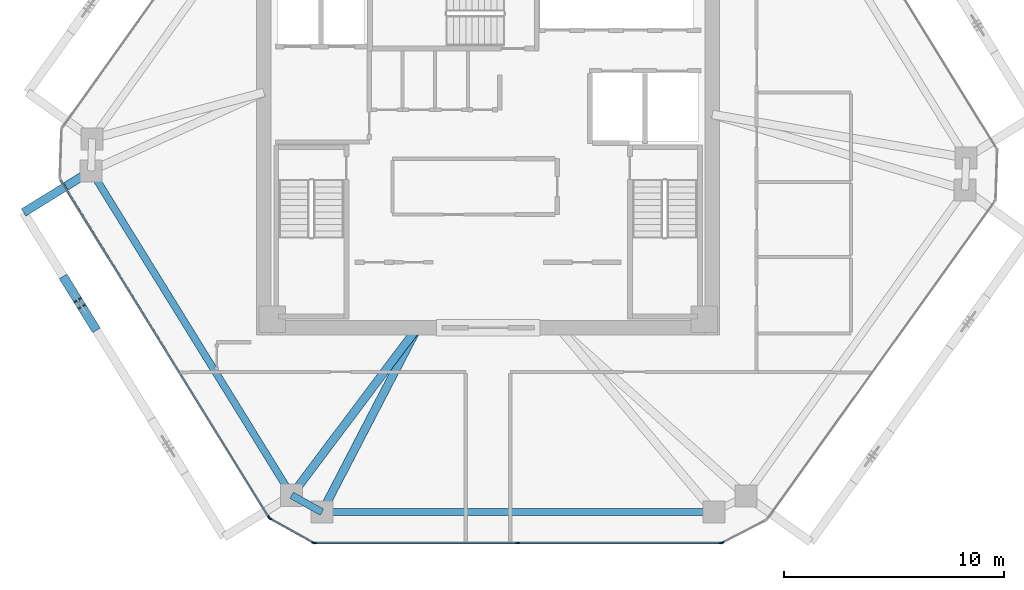
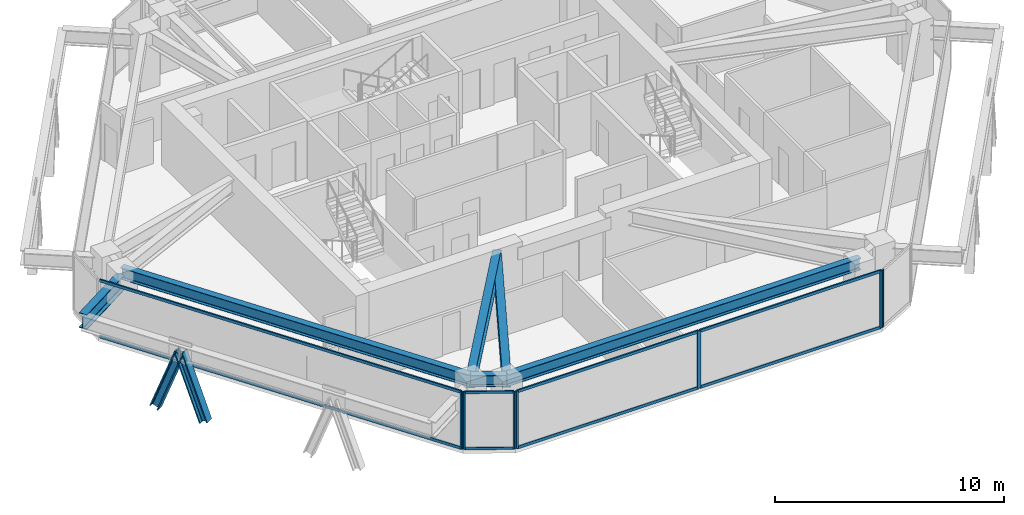
# One storey, part 2 of 13: 17 members, 6 beams, 4 elements without a shape of their own.
"""IFC4 building model written with IfcOpenShell, lengths in metres."""

from ifc_helpers import new_model, si_unit, direction, frame, origin, origin_2d, place, context, subcontext, project, spatial, rectangle, i_section, extrude, source, transform, mapped, material, layer, layer_set, material_profile, profile_set, type_object, type_shapes, element, aggregate, save


model = new_model("IFC4")

# Units and contexts
model_context = context("Model", 3, precision=1e-05, world=origin(), true_north=direction((0.0, 1.0)))
body_context = subcontext(model_context, "Body", "Model", "MODEL_VIEW")
ifc_project = project(units=[si_unit("LENGTHUNIT", "METRE"), si_unit("AREAUNIT", "SQUARE_METRE"), si_unit("VOLUMEUNIT", "CUBIC_METRE"), si_unit("PLANEANGLEUNIT", "RADIAN"), si_unit("MASSUNIT", "GRAM", prefix="KILO")], contexts=[model_context])

# Site, building, storey
site_placement = place(None, origin())
site = spatial("IfcSite", under=ifc_project, at=site_placement, CompositionType="ELEMENT")
building_placement = place(site_placement, origin())
building = spatial("IfcBuilding", under=site, at=building_placement, Name="Durnholm Broadcast Tower", CompositionType="ELEMENT")
storey_placement = place(building_placement, frame((0.0, 0.0, 167.199951171875)))
storey = spatial("IfcBuildingStorey", under=building, at=storey_placement, Name="L45", CompositionType="ELEMENT", Elevation=167.199951171875)

# Beams
ifc_material_1 = material(Name="Steel ASTM A992 Grade 50", Category="steel")
ifc_material_profile_1 = material_profile(ifc_material_1, i_section(OverallWidth=0.385009765625, OverallDepth=0.802978515625, WebThickness=0.023681640625, FlangeThickness=0.0419921875, FilletRadius=0.032958984375, at=origin_2d()), Name="W30X261")
ifc_profile_set_1 = profile_set([ifc_material_profile_1], Name="Steel ASTM A992 Grade 50")
beam_type_1 = type_object("IfcBeamType", Name="BM-EXO-TIE", PredefinedType="USERDEFINED", material=ifc_profile_set_1)
shared_shape_1 = source(origin(), body_context, "Body", "SweptSolid", [
    extrude(i_section(OverallWidth=0.385009765625, OverallDepth=0.802978515625, WebThickness=0.023681640625, FlangeThickness=0.0419921875, FilletRadius=0.032958984375, at=origin_2d()), origin(), (0.0, 0.0, 1.0), 3.4560546875),
])
type_shapes(beam_type_1, [shared_shape_1])
beam_1_placement = place(storey_placement, frame((-18.131591796875, -1.13232421875, 2.30859375), z_axis=(-0.850662348375, -0.525712439512, 0.0), x_axis=(0.525712439512, -0.850662348375, 0.0)))
element("IfcBeam", 1, at=beam_1_placement, inside=storey, type_object=beam_type_1, Name="L45 exoskeleton stand-off tie bracket F6.1", ObjectType="GIRDER", PredefinedType="USERDEFINED", context=body_context, shape_type="MappedRepresentation", body=[
    mapped(shared_shape_1, transform((0.0, 0.0, 0.0), x_axis=(1.0, 0.0, 0.0), y_axis=(0.0, 1.0, 0.0), z_axis=(0.0, 0.0, 1.0), scale=1.0)),
])
ifc_material_profile_2 = material_profile(ifc_material_1, i_section(OverallWidth=0.3251953125, OverallDepth=0.6162109375, WebThickness=0.013916015625, FlangeThickness=0.021484375, FilletRadius=0.02783203125, at=origin_2d()), Name="W24X117")
ifc_profile_set_2 = profile_set([ifc_material_profile_2], Name="Steel ASTM A992 Grade 50")
beam_type_2 = type_object("IfcBeamType", Name="STL-SP-W24X117", PredefinedType="SPANDREL", material=ifc_profile_set_2)
shared_shape_2 = source(origin(), body_context, "Body", "SweptSolid", [
    extrude(i_section(OverallWidth=0.3251953125, OverallDepth=0.6162109375, WebThickness=0.013916015625, FlangeThickness=0.021484375, FilletRadius=0.02783203125, at=origin_2d()), origin(), (0.0, 0.0, 1.0), 17.3037109375),
])
beam_2_placement = place(storey_placement, frame((-8.91259765625, -15.7763671875, 2.737060546875), z_axis=(-0.525695324718, 0.850672925142, 0.0), x_axis=(-0.850672925142, -0.525695324718, 0.0)))
element("IfcBeam", 2, at=beam_2_placement, inside=storey, type_object=beam_type_2, Name="L45 perimeter spandrel girder 01", PredefinedType="SPANDREL", context=body_context, shape_type="MappedRepresentation", body=[
    mapped(shared_shape_2, transform((0.0, 0.0, 0.0), x_axis=(1.0, 0.0, 0.0), y_axis=(0.0, 1.0, 0.0), z_axis=(0.0, 0.0, 1.0), scale=1.0)),
])
shared_shape_3 = source(origin(), body_context, "Body", "SweptSolid", [
    extrude(i_section(OverallWidth=0.3251953125, OverallDepth=0.6162109375, WebThickness=0.013916015625, FlangeThickness=0.021484375, FilletRadius=0.02783203125, at=origin_2d()), origin(), (0.0, 0.0, 1.0), 17.796142578125),
])
beam_3_placement = place(storey_placement, frame((10.256591796875, -16.5419921875, 2.737060546875), z_axis=(-1.0, 0.0, 0.0), x_axis=(0.0, -1.0, 0.0)))
element("IfcBeam", 3, at=beam_3_placement, inside=storey, type_object=beam_type_2, Name="L45 perimeter spandrel girder 11", PredefinedType="SPANDREL", context=body_context, shape_type="MappedRepresentation", body=[
    mapped(shared_shape_3, transform((0.0, 0.0, 0.0), x_axis=(1.0, 0.0, 0.0), y_axis=(0.0, 1.0, 0.0), z_axis=(0.0, 0.0, 1.0), scale=1.0)),
])
shared_shape_4 = source(origin(), body_context, "Body", "SweptSolid", [
    extrude(i_section(OverallWidth=0.3251953125, OverallDepth=0.6162109375, WebThickness=0.013916015625, FlangeThickness=0.021484375, FilletRadius=0.02783203125, at=origin_2d()), origin(), (0.0, 0.0, 1.0), 1.572021484375),
])
type_shapes(beam_type_2, [shared_shape_2, shared_shape_3, shared_shape_4])
beam_4_placement = place(storey_placement, frame((-7.53955078125, -16.5419921875, 2.737060546875), z_axis=(-0.873394362663, 0.487013641769, 0.0), x_axis=(-0.487013641769, -0.873394362663, 0.0)))
element("IfcBeam", 4, at=beam_4_placement, inside=storey, type_object=beam_type_2, Name="L45 perimeter spandrel girder 12", PredefinedType="SPANDREL", context=body_context, shape_type="MappedRepresentation", body=[
    mapped(shared_shape_4, transform((0.0, 0.0, 0.0), x_axis=(1.0, 0.0, 0.0), y_axis=(0.0, 1.0, 0.0), z_axis=(0.0, 0.0, 1.0), scale=1.0)),
])
ifc_material_profile_3 = material_profile(ifc_material_1, i_section(OverallWidth=0.380615234375, OverallDepth=0.773193359375, WebThickness=0.0166015625, FlangeThickness=0.027099609375, FilletRadius=0.032958984375, at=origin_2d()), Name="W30X173")
ifc_profile_set_3 = profile_set([ifc_material_profile_3], Name="Steel ASTM A992 Grade 50")
beam_type_3 = type_object("IfcBeamType", Name="STL-GR-W30X173", PredefinedType="USERDEFINED", material=ifc_profile_set_3)
shared_shape_5 = source(origin(), body_context, "Body", "SweptSolid", [
    extrude(i_section(OverallWidth=0.380615234375, OverallDepth=0.773193359375, WebThickness=0.0166015625, FlangeThickness=0.027099609375, FilletRadius=0.032958984375, at=origin_2d()), origin(), (0.0, 0.0, 1.0), 9.508544921875),
])
beam_5_placement = place(storey_placement, frame((-3.199951171875, -8.175048828125, 2.658447265625), z_axis=(-0.600784359039, -0.799411129479, 0.0), x_axis=(0.799411129479, -0.600784359039, 0.0)))
element("IfcBeam", 5, at=beam_5_placement, inside=storey, type_object=beam_type_3, Name="L45 radial primary floor girder 01", ObjectType="GIRDER", PredefinedType="USERDEFINED", context=body_context, shape_type="MappedRepresentation", body=[
    mapped(shared_shape_5, transform((0.0, 0.0, 0.0), x_axis=(1.0, 0.0, 0.0), y_axis=(0.0, 1.0, 0.0), z_axis=(0.0, 0.0, 1.0), scale=1.0)),
])
shared_shape_6 = source(origin(), body_context, "Body", "SweptSolid", [
    extrude(i_section(OverallWidth=0.380615234375, OverallDepth=0.773193359375, WebThickness=0.0166015625, FlangeThickness=0.027099609375, FilletRadius=0.032958984375, at=origin_2d()), origin(), (0.0, 0.0, 1.0), 9.42529296875),
])
type_shapes(beam_type_3, [shared_shape_5, shared_shape_6])
beam_6_placement = place(storey_placement, frame((-3.199951171875, -8.175048828125, 2.658447265625), z_axis=(-0.460416206992, -0.887703169048, 0.0), x_axis=(0.887703169048, -0.460416206992, 0.0)))
element("IfcBeam", 6, at=beam_6_placement, inside=storey, type_object=beam_type_3, Name="L45 radial primary floor girder 12", ObjectType="GIRDER", PredefinedType="USERDEFINED", context=body_context, shape_type="MappedRepresentation", body=[
    mapped(shared_shape_6, transform((0.0, 0.0, 0.0), x_axis=(1.0, 0.0, 0.0), y_axis=(0.0, 1.0, 0.0), z_axis=(0.0, 0.0, 1.0), scale=1.0)),
])

# Members
ifc_material_2 = material(Name="Steel ASTM A913 Grade 65", Category="steel")
ifc_material_profile_4 = material_profile(ifc_material_2, i_section(OverallWidth=0.412109375, OverallDepth=0.434814453125, WebThickness=0.035888671875, FlangeThickness=0.057373046875, FilletRadius=0.030517578125, at=origin_2d()), Name="W14X311")
ifc_profile_set_4 = profile_set([ifc_material_profile_4], Name="Steel ASTM A913 Grade 65")
member_type_1 = type_object("IfcMemberType", Name="STL-DG-W14X311", PredefinedType="BRACE", material=ifc_profile_set_4)
shared_shape_7 = source(origin(), body_context, "Body", "SweptSolid", [
    extrude(i_section(OverallWidth=0.412109375, OverallDepth=0.434814453125, WebThickness=0.035888671875, FlangeThickness=0.057373046875, FilletRadius=0.030517578125, at=origin_2d()), origin(), (0.0, 0.0, 1.0), 3.523193359375),
])
type_shapes(member_type_1, [shared_shape_7])
for number, where, z_axis, x_axis, name in (
    (7, (-19.173095703125, -6.021240234375, -0.991455078125), (0.18411903749, -0.297902800967, 0.936671821509), (0.850644447398, 0.525741404219, 0.0), "L45 stand-off diagrid brace F6.D1.1"),
    (8, (-17.8759765625, -8.120361328125, -0.991455078125), (-0.184052089489, 0.297906601172, 0.936683770188), (-0.850732935913, -0.525598203719, 0.0), "L45 stand-off diagrid brace F6.D1.2"),
):
    element("IfcMember", number, at=place(storey_placement, frame(where, z_axis=z_axis, x_axis=x_axis)), inside=storey, type_object=member_type_1, Name=name, PredefinedType="BRACE", context=body_context, shape_type="MappedRepresentation", body=[
        mapped(shared_shape_7, transform((0.0, 0.0, 0.0), x_axis=(1.0, 0.0, 0.0), y_axis=(0.0, 1.0, 0.0), z_axis=(0.0, 0.0, 1.0), scale=1.0)),
    ])

# Curtain wall, member
ifc_material_3 = material(Name="Aluminium and Solar Control IGU", Category="aluminium")
ifc_layer_1 = layer(ifc_material_3, 0.1650390625)
ifc_layer_set_1 = layer_set([ifc_layer_1], Name="Aluminium and Solar Control IGU")
curtain_wall_type_1 = type_object("IfcCurtainWallType", Name="CW-SYS-5", PredefinedType="NOTDEFINED", material=ifc_layer_set_1)
curtain_wall_1_placement = place(storey_placement, origin())
curtain_wall_1 = element("IfcCurtainWall", 9, at=curtain_wall_1_placement, inside=storey, type_object=curtain_wall_type_1, Name="L45 curtain wall CW-CORNER CW-L45-CRN-09", PredefinedType="NOTDEFINED")
ifc_material_4 = material(Name="Aluminium 6063-T6", Category="aluminium")
ifc_material_profile_5 = material_profile(ifc_material_4, rectangle(XDim=0.06494140625, YDim=0.1650390625, at=origin_2d()), Name="CWM65X165")
ifc_profile_set_5 = profile_set([ifc_material_profile_5], Name="Aluminium 6063-T6")
member_type_2 = type_object("IfcMemberType", Name="CW-SYS-5-MUL", PredefinedType="MULLION", material=ifc_profile_set_5)
shared_shape_8 = source(origin(), body_context, "Body", "SweptSolid", [
    extrude(rectangle(XDim=0.06494140625, YDim=0.1650390625, at=origin_2d()), origin(), (0.0, 0.0, 1.0), 3.06005859375),
])
type_shapes(member_type_2, [shared_shape_8])
member_1_placement = place(storey_placement, frame((10.624267578125, -17.92724609375, 0.0), z_axis=(0.0, 0.0, 1.0), x_axis=(0.457081764476, -0.889424679545, 0.0)))
member_1 = element("IfcMember", 10, at=member_1_placement, type_object=member_type_2, Name="CW-CORNER mullion 2", PredefinedType="MULLION", context=body_context, shape_type="MappedRepresentation", body=[
    mapped(shared_shape_8, transform((0.0, 0.0, 0.0), x_axis=(1.0, 0.0, 0.0), y_axis=(0.0, 1.0, 0.0), z_axis=(0.0, 0.0, 1.0), scale=1.0)),
])
aggregate(curtain_wall_1, [member_1])

# Curtain wall, members
curtain_wall_2_placement = place(storey_placement, origin())
curtain_wall_2 = element("IfcCurtainWall", 11, at=curtain_wall_2_placement, inside=storey, type_object=curtain_wall_type_1, Name="L45 curtain wall CW-CORNER CW-L45-CRN-11", PredefinedType="NOTDEFINED")
member_2_placement = place(storey_placement, frame((-7.931884765625, -17.92626953125, 0.0), z_axis=(0.0, 0.0, 1.0), x_axis=(-0.486986043316, -0.873409751271, 0.0)))
member_2 = element("IfcMember", 12, at=member_2_placement, type_object=member_type_2, Name="CW-CORNER mullion 1", PredefinedType="MULLION", context=body_context, shape_type="MappedRepresentation", body=[
    mapped(shared_shape_8, transform((0.0, 0.0, 0.0), x_axis=(1.0, 0.0, 0.0), y_axis=(0.0, 1.0, 0.0), z_axis=(0.0, 0.0, 1.0), scale=1.0)),
])
member_3_placement = place(storey_placement, frame((-9.884033203125, -16.837646484375, 0.0), z_axis=(0.0, 0.0, 1.0), x_axis=(-0.486986043316, -0.873409751271, 0.0)))
member_3 = element("IfcMember", 13, at=member_3_placement, type_object=member_type_2, Name="CW-CORNER mullion 2", PredefinedType="MULLION", context=body_context, shape_type="MappedRepresentation", body=[
    mapped(shared_shape_8, transform((0.0, 0.0, 0.0), x_axis=(1.0, 0.0, 0.0), y_axis=(0.0, 1.0, 0.0), z_axis=(0.0, 0.0, 1.0), scale=1.0)),
])
ifc_material_profile_6 = material_profile(ifc_material_4, rectangle(XDim=0.06494140625, YDim=0.1298828125, at=origin_2d()), Name="CWT65X130")
ifc_profile_set_6 = profile_set([ifc_material_profile_6], Name="Aluminium 6063-T6")
member_type_3 = type_object("IfcMemberType", Name="CW-SYS-5-TRN", PredefinedType="USERDEFINED", material=ifc_profile_set_6)
shared_shape_9 = source(origin(), body_context, "Body", "SweptSolid", [
    extrude(rectangle(XDim=0.06494140625, YDim=0.1298828125, at=origin_2d()), origin(), (0.0, 0.0, 1.0), 2.169921875),
])
type_shapes(member_type_3, [shared_shape_9])
member_4_placement = place(storey_placement, frame((-7.960205078125, -17.910400390625, 0.032470703125), z_axis=(-0.873381360539, 0.487036958621, 0.0), x_axis=(-0.487036958621, -0.873381360539, 0.0)))
member_4 = element("IfcMember", 14, at=member_4_placement, type_object=member_type_3, Name="CW-CORNER transom 1.1", ObjectType="TRANSOM", PredefinedType="USERDEFINED", context=body_context, shape_type="MappedRepresentation", body=[
    mapped(shared_shape_9, transform((0.0, 0.0, 0.0), x_axis=(1.0, 0.0, 0.0), y_axis=(0.0, 1.0, 0.0), z_axis=(0.0, 0.0, 1.0), scale=1.0)),
])
member_5_placement = place(storey_placement, frame((-7.960205078125, -17.910400390625, 3.027587890625), z_axis=(-0.873381360539, 0.487036958621, 0.0), x_axis=(-0.487036958621, -0.873381360539, 0.0)))
member_5 = element("IfcMember", 15, at=member_5_placement, type_object=member_type_3, Name="CW-CORNER transom 1.2", ObjectType="TRANSOM", PredefinedType="USERDEFINED", context=body_context, shape_type="MappedRepresentation", body=[
    mapped(shared_shape_9, transform((0.0, 0.0, 0.0), x_axis=(1.0, 0.0, 0.0), y_axis=(0.0, 1.0, 0.0), z_axis=(0.0, 0.0, 1.0), scale=1.0)),
])
aggregate(curtain_wall_2, [member_2, member_3, member_4, member_5])

ifc_layer_2 = layer(ifc_material_3, 0.18994140625)
ifc_layer_set_2 = layer_set([ifc_layer_2], Name="Aluminium and Solar Control IGU")
curtain_wall_type_2 = type_object("IfcCurtainWallType", Name="CW-SYS-4", PredefinedType="NOTDEFINED", material=ifc_layer_set_2)
curtain_wall_3_placement = place(storey_placement, origin())
curtain_wall_3 = element("IfcCurtainWall", 16, at=curtain_wall_3_placement, inside=storey, type_object=curtain_wall_type_2, Name="L45 curtain wall CW-Z34-VIS CW-L45-F10", PredefinedType="NOTDEFINED")
ifc_material_profile_7 = material_profile(ifc_material_4, rectangle(XDim=0.070068359375, YDim=0.14990234375, at=origin_2d()), Name="CWT70X150")
ifc_profile_set_7 = profile_set([ifc_material_profile_7], Name="Aluminium 6063-T6")
member_type_4 = type_object("IfcMemberType", Name="CW-SYS-4-TRN", PredefinedType="USERDEFINED", material=ifc_profile_set_7)
shared_shape_10 = source(origin(), body_context, "Body", "SweptSolid", [
    extrude(rectangle(XDim=0.070068359375, YDim=0.14990234375, at=origin_2d()), origin(), (0.0, 0.0, 1.0), 9.14453125),
])
member_6_placement = place(storey_placement, frame((10.525390625, -17.94189453125, 0.03515625), z_axis=(-1.0, 0.0, 0.0), x_axis=(0.0, -1.0, 0.0)))
member_6 = element("IfcMember", 17, at=member_6_placement, type_object=member_type_4, Name="CW-Z34-VIS transom 1.1", ObjectType="TRANSOM", PredefinedType="USERDEFINED", context=body_context, shape_type="MappedRepresentation", body=[
    mapped(shared_shape_10, transform((0.0, 0.0, 0.0), x_axis=(1.0, 0.0, 0.0), y_axis=(0.0, 1.0, 0.0), z_axis=(0.0, 0.0, 1.0), scale=1.0)),
])
member_7_placement = place(storey_placement, frame((10.525390625, -17.94189453125, 3.025146484375), z_axis=(-1.0, 0.0, 0.0), x_axis=(0.0, -1.0, 0.0)))
member_7 = element("IfcMember", 18, at=member_7_placement, type_object=member_type_4, Name="CW-Z34-VIS transom 1.2", ObjectType="TRANSOM", PredefinedType="USERDEFINED", context=body_context, shape_type="MappedRepresentation", body=[
    mapped(shared_shape_10, transform((0.0, 0.0, 0.0), x_axis=(1.0, 0.0, 0.0), y_axis=(0.0, 1.0, 0.0), z_axis=(0.0, 0.0, 1.0), scale=1.0)),
])
member_8_placement = place(storey_placement, frame((1.31103515625, -17.94189453125, 0.03515625), z_axis=(-1.0, 0.0, 0.0), x_axis=(0.0, -1.0, 0.0)))
member_8 = element("IfcMember", 19, at=member_8_placement, type_object=member_type_4, Name="CW-Z34-VIS transom 2.1", ObjectType="TRANSOM", PredefinedType="USERDEFINED", context=body_context, shape_type="MappedRepresentation", body=[
    mapped(shared_shape_10, transform((0.0, 0.0, 0.0), x_axis=(1.0, 0.0, 0.0), y_axis=(0.0, 1.0, 0.0), z_axis=(0.0, 0.0, 1.0), scale=1.0)),
])
member_9_placement = place(storey_placement, frame((1.31103515625, -17.94189453125, 3.025146484375), z_axis=(-1.0, 0.0, 0.0), x_axis=(0.0, -1.0, 0.0)))
member_9 = element("IfcMember", 20, at=member_9_placement, type_object=member_type_4, Name="CW-Z34-VIS transom 2.2", ObjectType="TRANSOM", PredefinedType="USERDEFINED", context=body_context, shape_type="MappedRepresentation", body=[
    mapped(shared_shape_10, transform((0.0, 0.0, 0.0), x_axis=(1.0, 0.0, 0.0), y_axis=(0.0, 1.0, 0.0), z_axis=(0.0, 0.0, 1.0), scale=1.0)),
])

curtain_wall_4_placement = place(storey_placement, origin())
curtain_wall_4 = element("IfcCurtainWall", 21, at=curtain_wall_4_placement, inside=storey, type_object=curtain_wall_type_2, Name="L45 curtain wall CW-Z34-VIS CW-L45-F12", PredefinedType="NOTDEFINED")
shared_shape_11 = source(origin(), body_context, "Body", "SweptSolid", [
    extrude(rectangle(XDim=0.070068359375, YDim=0.14990234375, at=origin_2d()), origin(), (0.0, 0.0, 1.0), 17.951171875),
])
type_shapes(member_type_4, [shared_shape_10, shared_shape_11])
member_10_placement = place(storey_placement, frame((-9.94921875, -16.762451171875, 0.03515625), z_axis=(-0.525693813807, 0.850673858847, 0.0), x_axis=(-0.850673858847, -0.525693813807, 0.0)))
member_10 = element("IfcMember", 22, at=member_10_placement, type_object=member_type_4, Name="CW-Z34-VIS transom 1.1", ObjectType="TRANSOM", PredefinedType="USERDEFINED", context=body_context, shape_type="MappedRepresentation", body=[
    mapped(shared_shape_11, transform((0.0, 0.0, 0.0), x_axis=(1.0, 0.0, 0.0), y_axis=(0.0, 1.0, 0.0), z_axis=(0.0, 0.0, 1.0), scale=1.0)),
])
member_11_placement = place(storey_placement, frame((-9.94921875, -16.762451171875, 3.025146484375), z_axis=(-0.525693813807, 0.850673858847, 0.0), x_axis=(-0.850673858847, -0.525693813807, 0.0)))
member_11 = element("IfcMember", 23, at=member_11_placement, type_object=member_type_4, Name="CW-Z34-VIS transom 1.2", ObjectType="TRANSOM", PredefinedType="USERDEFINED", context=body_context, shape_type="MappedRepresentation", body=[
    mapped(shared_shape_11, transform((0.0, 0.0, 0.0), x_axis=(1.0, 0.0, 0.0), y_axis=(0.0, 1.0, 0.0), z_axis=(0.0, 0.0, 1.0), scale=1.0)),
])

# Member
ifc_material_profile_8 = material_profile(ifc_material_4, rectangle(XDim=0.070068359375, YDim=0.18994140625, at=origin_2d()), Name="CWM70X190")
ifc_profile_set_8 = profile_set([ifc_material_profile_8], Name="Aluminium 6063-T6")
member_type_5 = type_object("IfcMemberType", Name="CW-SYS-4-MUL", PredefinedType="MULLION", material=ifc_profile_set_8)
shared_shape_12 = source(origin(), body_context, "Body", "SweptSolid", [
    extrude(rectangle(XDim=0.070068359375, YDim=0.18994140625, at=origin_2d()), origin(), (0.0, 0.0, 1.0), 3.06005859375),
])
type_shapes(member_type_5, [shared_shape_12])
member_12_placement = place(storey_placement, frame((10.560302734375, -17.94189453125, 0.0), z_axis=(0.0, 0.0, 1.0), x_axis=(0.0, -1.0, 0.0)))
member_12 = element("IfcMember", 24, at=member_12_placement, type_object=member_type_5, Name="CW-Z34-VIS mullion 1", PredefinedType="MULLION", context=body_context, shape_type="MappedRepresentation", body=[
    mapped(shared_shape_12, transform((0.0, 0.0, 0.0), x_axis=(1.0, 0.0, 0.0), y_axis=(0.0, 1.0, 0.0), z_axis=(0.0, 0.0, 1.0), scale=1.0)),
])

member_13_placement = place(storey_placement, frame((1.345947265625, -17.94189453125, 0.0), z_axis=(0.0, 0.0, 1.0), x_axis=(0.0, -1.0, 0.0)))
member_13 = element("IfcMember", 25, at=member_13_placement, type_object=member_type_5, Name="CW-Z34-VIS mullion 2", PredefinedType="MULLION", context=body_context, shape_type="MappedRepresentation", body=[
    mapped(shared_shape_12, transform((0.0, 0.0, 0.0), x_axis=(1.0, 0.0, 0.0), y_axis=(0.0, 1.0, 0.0), z_axis=(0.0, 0.0, 1.0), scale=1.0)),
])

member_14_placement = place(storey_placement, frame((-7.868408203125, -17.94189453125, 0.0), z_axis=(0.0, 0.0, 1.0), x_axis=(0.0, -1.0, 0.0)))
member_14 = element("IfcMember", 26, at=member_14_placement, type_object=member_type_5, Name="CW-Z34-VIS mullion 3", PredefinedType="MULLION", context=body_context, shape_type="MappedRepresentation", body=[
    mapped(shared_shape_12, transform((0.0, 0.0, 0.0), x_axis=(1.0, 0.0, 0.0), y_axis=(0.0, 1.0, 0.0), z_axis=(0.0, 0.0, 1.0), scale=1.0)),
])

aggregate(curtain_wall_3, [member_12, member_13, member_14, member_6, member_7, member_8, member_9])

member_15_placement = place(storey_placement, frame((-9.9306640625, -16.792236328125, 0.0), z_axis=(0.0, 0.0, 1.0), x_axis=(-0.850671426092, -0.525697750452, 0.0)))
member_15 = element("IfcMember", 27, at=member_15_placement, type_object=member_type_5, Name="CW-Z34-VIS mullion 1", PredefinedType="MULLION", context=body_context, shape_type="MappedRepresentation", body=[
    mapped(shared_shape_12, transform((0.0, 0.0, 0.0), x_axis=(1.0, 0.0, 0.0), y_axis=(0.0, 1.0, 0.0), z_axis=(0.0, 0.0, 1.0), scale=1.0)),
])

aggregate(curtain_wall_4, [member_15, member_10, member_11])

save(model, "model.ifc")
